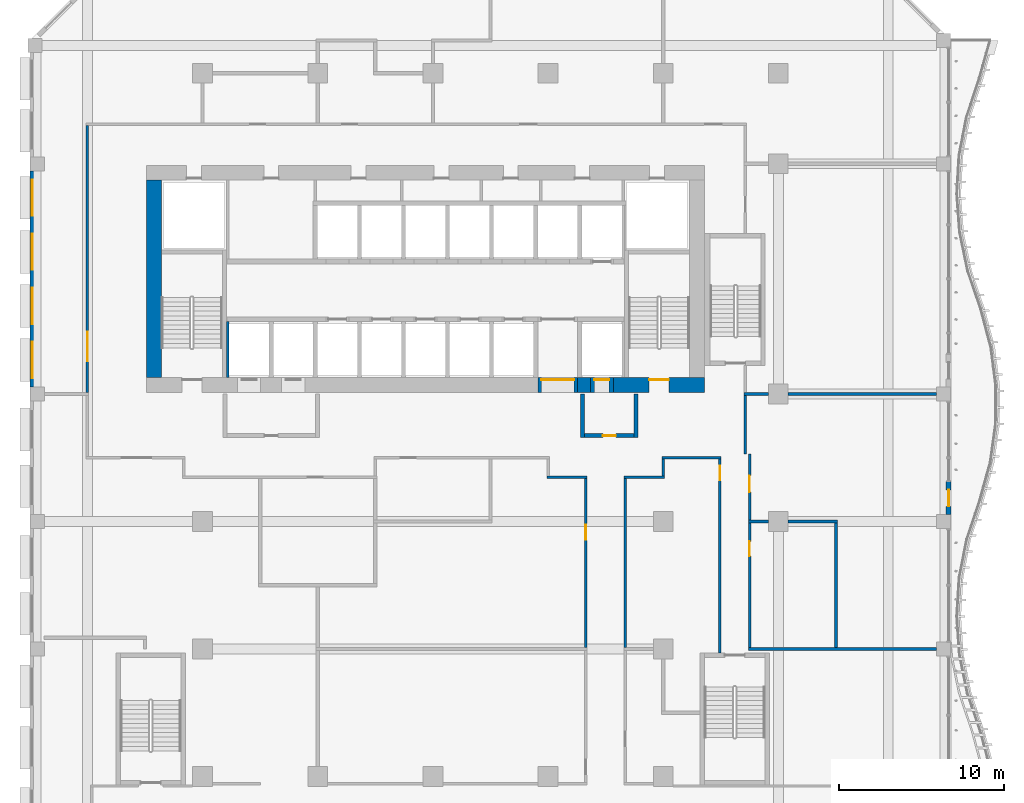
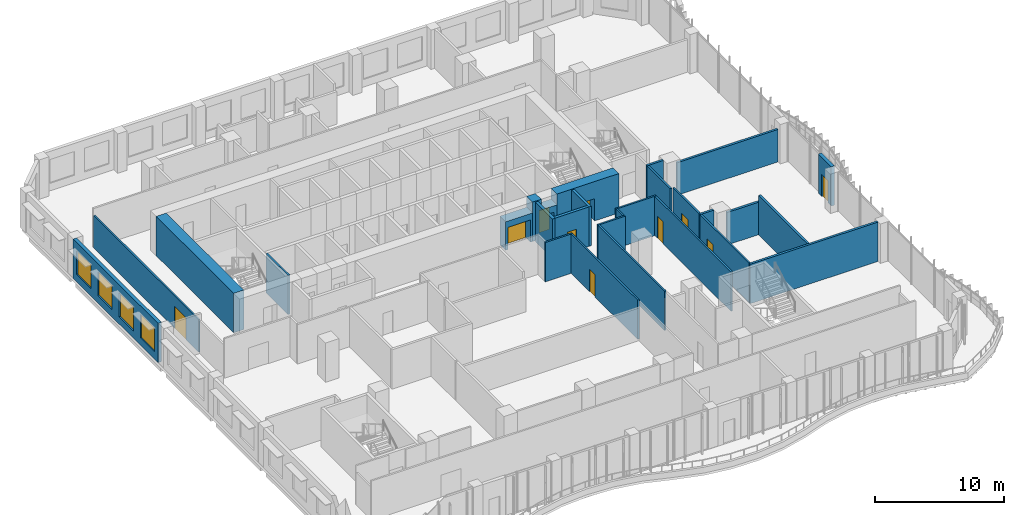
# One storey, part 12 of 26: 28 walls, 10 doors, 4 windows, 14 openings.
"""IFC4 building model written with IfcOpenShell, lengths in metres."""

from ifc_helpers import new_model, si_unit, direction, frame, frame_2d, origin, place, context, subcontext, project, spatial, rectangle, extrude, source, transform, mapped, material, layer, layer_set, type_object, element, fill, save


model = new_model("IFC4")

# Units and contexts
model_context = context("Model", 3, precision=1e-05, world=origin(), true_north=direction((0.0, 1.0)))
body_context = subcontext(model_context, "Body", "Model", "MODEL_VIEW")
ifc_project = project(units=[si_unit("LENGTHUNIT", "METRE"), si_unit("AREAUNIT", "SQUARE_METRE"), si_unit("VOLUMEUNIT", "CUBIC_METRE"), si_unit("PLANEANGLEUNIT", "RADIAN"), si_unit("MASSUNIT", "GRAM", prefix="KILO")], contexts=[model_context])

# Site, building, storey
site_placement = place(None, origin())
site = spatial("IfcSite", under=ifc_project, at=site_placement, CompositionType="ELEMENT")
building_placement = place(site_placement, origin())
building = spatial("IfcBuilding", under=site, at=building_placement, Name="Kilnfold Tower and Market Hall", CompositionType="ELEMENT")
storey_placement = place(building_placement, frame((0.0, 0.0, 108.60009765625)))
storey = spatial("IfcBuildingStorey", under=building, at=storey_placement, Name="L25", CompositionType="ELEMENT", Elevation=108.60009765625)

# Wall, opening, door
ifc_material_1 = material(Name="Gypsum board on steel studs", Category="steel")
ifc_layer_1 = layer(ifc_material_1, 0.14990234375)
ifc_layer_set_1 = layer_set([ifc_layer_1], Name="Gypsum board on steel studs")
wall_type_1 = type_object("IfcWallType", Name="WALL CORRIDOR 150", PredefinedType="PARTITIONING", material=ifc_layer_set_1)
wall_1_placement = place(storey_placement, frame((10.800048828125, -7.409912109375, 0.0), z_axis=(0.0, 0.0, 1.0), x_axis=(0.0, 1.0, 0.0)))
wall_1 = element("IfcWall", 1, at=wall_1_placement, inside=storey, type_object=wall_type_1, Name="Partition LY16.16", PredefinedType="PARTITIONING", context=body_context, shape_type="SweptSolid", body=[
    extrude(rectangle(XDim=10.284912109375, YDim=0.14990234375, at=frame_2d((5.142578125, 0.0))), origin(), (0.0, 0.0, 1.0), 3.719970703125),
])
opening_1_placement = place(wall_1_placement, frame((6.56005859375, 0.0, 0.0)))
opening_1 = element("IfcOpeningElement", 2, at=opening_1_placement, cuts=wall_1, Name="Opening D2", PredefinedType="OPENING", context=body_context, shape_type="SweptSolid", body=[
    extrude(rectangle(XDim=0.89990234375, YDim=2.10009765625, at=frame_2d((0.449951171875, 1.050048828125))), frame((0.0, 0.0849609375, 0.0), z_axis=(0.0, -1.0, 0.0), x_axis=(1.0, 0.0, 0.0)), (0.0, 0.0, 1.0), 0.169921875),
])
ifc_material_2 = material(Name="Timber veneer door leaf in steel frame", Category="steel")
door_type_1 = type_object("IfcDoorType", Name="DOOR ROOM 900 X2100", OperationType="NOTDEFINED", PredefinedType="DOOR", material=ifc_material_2)
door_1_placement = place(opening_1_placement, origin())
door_1 = element("IfcDoor", 3, at=door_1_placement, inside=storey, type_object=door_type_1, Name="Door D2", OperationType="SINGLE_SWING_LEFT", OverallHeight=2.10009765625, OverallWidth=0.89990234375, PredefinedType="DOOR", context=body_context, shape_type="SweptSolid", body=[
    extrude(rectangle(XDim=0.89990234375, YDim=2.10009765625, at=frame_2d((0.449951171875, 1.050048828125))), frame((0.0, 0.02490234375, 0.0), z_axis=(0.0, -1.0, 0.0), x_axis=(1.0, 0.0, 0.0)), (0.0, 0.0, 1.0), 0.050048828125),
])
fill(opening_1, door_1)

# Wall
wall_2_placement = place(storey_placement, frame((8.425048828125, 2.949951171875, 0.0), z_axis=(0.0, 0.0, 1.0), x_axis=(1.0, 0.0, 0.0)))
element("IfcWall", 4, at=wall_2_placement, inside=storey, type_object=wall_type_1, Name="Partition LY16.17", PredefinedType="PARTITIONING", context=body_context, shape_type="SweptSolid", body=[
    extrude(rectangle(XDim=2.449951171875, YDim=0.14990234375, at=frame_2d((1.22509765625, 0.0))), origin(), (0.0, 0.0, 1.0), 3.719970703125),
])

# Wall, opening, door
wall_3_placement = place(storey_placement, frame((18.949951171875, 4.050048828125, 0.0), z_axis=(0.0, 0.0, 1.0), x_axis=(0.0, -1.0, 0.0)))
wall_3 = element("IfcWall", 5, at=wall_3_placement, inside=storey, type_object=wall_type_1, Name="Partition LY16.23", PredefinedType="PARTITIONING", context=body_context, shape_type="SweptSolid", body=[
    extrude(rectangle(XDim=11.800048828125, YDim=0.14990234375, at=frame_2d((5.89990234375, 0.0))), origin(), (0.0, 0.0, 1.0), 3.719970703125),
])
opening_2_placement = place(wall_3_placement, frame((0.39990234375, 0.0, 0.0)))
opening_2 = element("IfcOpeningElement", 6, at=opening_2_placement, cuts=wall_3, Name="Opening D2", PredefinedType="OPENING", context=body_context, shape_type="SweptSolid", body=[
    extrude(rectangle(XDim=0.89990234375, YDim=2.10009765625, at=frame_2d((0.449951171875, 1.050048828125))), frame((0.0, 0.0849609375, 0.0), z_axis=(0.0, -1.0, 0.0), x_axis=(1.0, 0.0, 0.0)), (0.0, 0.0, 1.0), 0.169921875),
])
door_2_placement = place(opening_2_placement, origin())
door_2 = element("IfcDoor", 7, at=door_2_placement, inside=storey, type_object=door_type_1, Name="Door D2", OperationType="SINGLE_SWING_LEFT", OverallHeight=2.10009765625, OverallWidth=0.89990234375, PredefinedType="DOOR", context=body_context, shape_type="SweptSolid", body=[
    extrude(rectangle(XDim=0.89990234375, YDim=2.10009765625, at=frame_2d((0.449951171875, 1.050048828125))), frame((0.0, 0.02490234375, 0.0), z_axis=(0.0, -1.0, 0.0), x_axis=(1.0, 0.0, 0.0)), (0.0, 0.0, 1.0), 0.050048828125),
])
fill(opening_2, door_2)

# Walls
wall_4_placement = place(storey_placement, frame((15.425048828125, 4.125, 0.0), z_axis=(0.0, 0.0, 1.0), x_axis=(1.0, 0.0, 0.0)))
element("IfcWall", 8, at=wall_4_placement, inside=storey, type_object=wall_type_1, Name="Partition LY16.24", PredefinedType="PARTITIONING", context=body_context, shape_type="SweptSolid", body=[
    extrude(rectangle(XDim=3.599853515625, YDim=0.14990234375, at=frame_2d((1.7998046875, 0.0))), origin(), (0.0, 0.0, 1.0), 3.719970703125),
])
wall_5_placement = place(storey_placement, frame((15.5, 3.02490234375, 0.0), z_axis=(0.0, 0.0, 1.0), x_axis=(0.0, 1.0, 0.0)))
element("IfcWall", 9, at=wall_5_placement, inside=storey, type_object=wall_type_1, Name="Partition LY16.25", PredefinedType="PARTITIONING", context=body_context, shape_type="SweptSolid", body=[
    extrude(rectangle(XDim=1.025146484375, YDim=0.14990234375, at=frame_2d((0.5126953125, 0.0))), origin(), (0.0, 0.0, 1.0), 3.719970703125),
])
wall_6_placement = place(storey_placement, frame((13.125, 2.949951171875, 0.0), z_axis=(0.0, 0.0, 1.0), x_axis=(1.0, 0.0, 0.0)))
element("IfcWall", 10, at=wall_6_placement, inside=storey, type_object=wall_type_1, Name="Partition LY16.26", PredefinedType="PARTITIONING", context=body_context, shape_type="SweptSolid", body=[
    extrude(rectangle(XDim=2.449951171875, YDim=0.14990234375, at=frame_2d((1.22509765625, 0.0))), origin(), (0.0, 0.0, 1.0), 3.719970703125),
])
wall_7_placement = place(storey_placement, frame((13.199951171875, -7.409912109375, 0.0), z_axis=(0.0, 0.0, 1.0), x_axis=(0.0, 1.0, 0.0)))
element("IfcWall", 11, at=wall_7_placement, inside=storey, type_object=wall_type_1, Name="Partition LY16.27", PredefinedType="PARTITIONING", context=body_context, shape_type="SweptSolid", body=[
    extrude(rectangle(XDim=10.284912109375, YDim=0.14990234375, at=frame_2d((5.142578125, 0.0))), origin(), (0.0, 0.0, 1.0), 3.719970703125),
])

# Wall, opening, door
wall_8_placement = place(storey_placement, frame((20.75, -7.409912109375, 0.0), z_axis=(0.0, 0.0, 1.0), x_axis=(0.0, 1.0, 0.0)))
wall_8 = element("IfcWall", 12, at=wall_8_placement, inside=storey, type_object=wall_type_1, Name="Partition LY16.28", PredefinedType="PARTITIONING", context=body_context, shape_type="SweptSolid", body=[
    extrude(rectangle(XDim=7.56982421875, YDim=0.14990234375, at=frame_2d((3.784912109375, 0.0))), origin(), (0.0, 0.0, 1.0), 3.719970703125),
])
opening_3_placement = place(wall_8_placement, frame((5.56005859375, 0.0, 0.0)))
opening_3 = element("IfcOpeningElement", 13, at=opening_3_placement, cuts=wall_8, Name="Opening D2", PredefinedType="OPENING", context=body_context, shape_type="SweptSolid", body=[
    extrude(rectangle(XDim=0.89990234375, YDim=2.10009765625, at=frame_2d((0.449951171875, 1.050048828125))), frame((0.0, 0.0849609375, 0.0), z_axis=(0.0, -1.0, 0.0), x_axis=(1.0, 0.0, 0.0)), (0.0, 0.0, 1.0), 0.169921875),
])
door_3_placement = place(opening_3_placement, origin())
door_3 = element("IfcDoor", 14, at=door_3_placement, inside=storey, type_object=door_type_1, Name="Door D2", OperationType="SINGLE_SWING_RIGHT", OverallHeight=2.10009765625, OverallWidth=0.89990234375, PredefinedType="DOOR", context=body_context, shape_type="SweptSolid", body=[
    extrude(rectangle(XDim=0.89990234375, YDim=2.10009765625, at=frame_2d((0.449951171875, 1.050048828125))), frame((0.0, 0.02490234375, 0.0), z_axis=(0.0, -1.0, 0.0), x_axis=(1.0, 0.0, 0.0)), (0.0, 0.0, 1.0), 0.050048828125),
])
fill(opening_3, door_3)

# Wall
wall_9_placement = place(storey_placement, frame((20.5, 4.35009765625, 0.0), z_axis=(0.0, 0.0, 1.0), x_axis=(0.0, 1.0, 0.0)))
element("IfcWall", 15, at=wall_9_placement, inside=storey, type_object=wall_type_1, Name="Partition LY16.29", PredefinedType="PARTITIONING", context=body_context, shape_type="SweptSolid", body=[
    extrude(rectangle(XDim=3.559814453125, YDim=0.14990234375, at=frame_2d((1.77978515625, 0.0))), origin(), (0.0, 0.0, 1.0), 3.719970703125),
])

# Wall, opening, door
wall_10_placement = place(storey_placement, frame((20.75, 0.340087890625, 0.0), z_axis=(0.0, 0.0, 1.0), x_axis=(0.0, 1.0, 0.0)))
wall_10 = element("IfcWall", 16, at=wall_10_placement, inside=storey, type_object=wall_type_1, Name="Partition LY16.30", PredefinedType="PARTITIONING", context=body_context, shape_type="SweptSolid", body=[
    extrude(rectangle(XDim=4.010009765625, YDim=0.14990234375, at=frame_2d((2.0048828125, 0.0))), origin(), (0.0, 0.0, 1.0), 3.719970703125),
])
opening_4_placement = place(wall_10_placement, frame((1.7060546875, 0.0, 0.0)))
opening_4 = element("IfcOpeningElement", 17, at=opening_4_placement, cuts=wall_10, Name="Opening D1", PredefinedType="OPENING", context=body_context, shape_type="SweptSolid", body=[
    extrude(rectangle(XDim=1.0, YDim=2.10009765625, at=frame_2d((0.5, 1.050048828125))), frame((0.0, 0.0849609375, 0.0), z_axis=(0.0, -1.0, 0.0), x_axis=(1.0, 0.0, 0.0)), (0.0, 0.0, 1.0), 0.169921875),
])
ifc_material_3 = material(Name="Timber veneer door leaf in steel frame", Category="steel")
door_type_2 = type_object("IfcDoorType", Name="DOOR ENTRY 1000 X2100", OperationType="NOTDEFINED", PredefinedType="DOOR", material=ifc_material_3)
door_4_placement = place(opening_4_placement, origin())
door_4 = element("IfcDoor", 18, at=door_4_placement, inside=storey, type_object=door_type_2, Name="Door D1", OperationType="SINGLE_SWING_RIGHT", OverallHeight=2.10009765625, OverallWidth=1.0, PredefinedType="DOOR", context=body_context, shape_type="SweptSolid", body=[
    extrude(rectangle(XDim=1.0, YDim=2.10009765625, at=frame_2d((0.5, 1.050048828125))), frame((0.0, 0.02490234375, 0.0), z_axis=(0.0, -1.0, 0.0), x_axis=(1.0, 0.0, 0.0)), (0.0, 0.0, 1.0), 0.050048828125),
])
fill(opening_4, door_4)

wall_11_placement = place(storey_placement, frame((-19.5, 8.090087890625, 0.0), z_axis=(0.0, 0.0, 1.0), x_axis=(0.0, 1.0, 0.0)))
wall_11 = element("IfcWall", 19, at=wall_11_placement, inside=storey, type_object=wall_type_1, Name="Partition LY16.34", PredefinedType="PARTITIONING", context=body_context, shape_type="SweptSolid", body=[
    extrude(rectangle(XDim=16.23486328125, YDim=0.14990234375, at=frame_2d((8.117431640625, 0.0))), origin(), (0.0, 0.0, 1.0), 3.06982421875),
])
opening_5_placement = place(wall_11_placement, frame((1.904052734375, 0.0, 0.0)))
opening_5 = element("IfcOpeningElement", 20, at=opening_5_placement, cuts=wall_11, Name="Opening D5", PredefinedType="OPENING", context=body_context, shape_type="SweptSolid", body=[
    extrude(rectangle(XDim=1.800048828125, YDim=2.10009765625, at=frame_2d((0.89990234375, 1.050048828125))), frame((0.0, 0.0849609375, 0.0), z_axis=(0.0, -1.0, 0.0), x_axis=(1.0, 0.0, 0.0)), (0.0, 0.0, 1.0), 0.169921875),
])
ifc_material_4 = material(Name="Timber veneer door leaf in steel frame", Category="steel")
door_type_3 = type_object("IfcDoorType", Name="DOOR DOUBLE 1800 X2100", OperationType="NOTDEFINED", PredefinedType="DOOR", material=ifc_material_4)
door_5_placement = place(opening_5_placement, origin())
door_5 = element("IfcDoor", 21, at=door_5_placement, inside=storey, type_object=door_type_3, Name="Door D5", OperationType="DOUBLE_DOOR_SINGLE_SWING", OverallHeight=2.10009765625, OverallWidth=1.800048828125, PredefinedType="DOOR", context=body_context, shape_type="SweptSolid", body=[
    extrude(rectangle(XDim=1.800048828125, YDim=2.10009765625, at=frame_2d((0.89990234375, 1.050048828125))), frame((0.0, 0.02490234375, 0.0), z_axis=(0.0, -1.0, 0.0), x_axis=(1.0, 0.0, 0.0)), (0.0, 0.0, 1.0), 0.050048828125),
])
fill(opening_5, door_5)

# Walls
ifc_material_5 = material(Name="Gypsum board on steel studs", Category="steel")
ifc_layer_2 = layer(ifc_material_5, 0.199951171875)
ifc_layer_set_2 = layer_set([ifc_layer_2], Name="Gypsum board on steel studs")
wall_type_2 = type_object("IfcWallType", Name="WALL PARTY 200", PredefinedType="PARTITIONING", material=ifc_layer_set_2)
wall_12_placement = place(storey_placement, frame((20.676025390625, -7.5, 0.0), z_axis=(0.0, 0.0, 1.0), x_axis=(1.0, 0.0, 0.0)))
element("IfcWall", 22, at=wall_12_placement, inside=storey, type_object=wall_type_2, Name="Partition LY16.53", PredefinedType="PARTITIONING", context=body_context, shape_type="SweptSolid", body=[
    extrude(rectangle(XDim=11.448974609375, YDim=0.199951171875, at=frame_2d((5.724609375, 0.0))), origin(), (0.0, 0.0, 1.0), 3.719970703125),
])
wall_13_placement = place(storey_placement, frame((20.676025390625, 0.25, 0.0), z_axis=(0.0, 0.0, 1.0), x_axis=(1.0, 0.0, 0.0)))
element("IfcWall", 23, at=wall_13_placement, inside=storey, type_object=wall_type_2, Name="Partition LY16.54", PredefinedType="PARTITIONING", context=body_context, shape_type="SweptSolid", body=[
    extrude(rectangle(XDim=1.223876953125, YDim=0.199951171875, at=frame_2d((0.61181640625, 0.0))), origin(), (0.0, 0.0, 1.0), 3.719970703125),
])
wall_14_placement = place(storey_placement, frame((23.10009765625, 0.25, 0.0), z_axis=(0.0, 0.0, 1.0), x_axis=(1.0, 0.0, 0.0)))
element("IfcWall", 24, at=wall_14_placement, inside=storey, type_object=wall_type_2, Name="Partition LY16.55", PredefinedType="PARTITIONING", context=body_context, shape_type="SweptSolid", body=[
    extrude(rectangle(XDim=3.0, YDim=0.199951171875, at=frame_2d((1.5, 0.0))), origin(), (0.0, 0.0, 1.0), 3.06982421875),
])
wall_15_placement = place(storey_placement, frame((26.0, -7.39990234375, 0.0), z_axis=(0.0, 0.0, 1.0), x_axis=(0.0, 1.0, 0.0)))
element("IfcWall", 25, at=wall_15_placement, inside=storey, type_object=wall_type_2, Name="Partition LY16.56", PredefinedType="PARTITIONING", context=body_context, shape_type="SweptSolid", body=[
    extrude(rectangle(XDim=7.5498046875, YDim=0.199951171875, at=frame_2d((3.77490234375, 0.0))), origin(), (0.0, 0.0, 1.0), 3.719970703125),
])
wall_16_placement = place(storey_placement, frame((20.426025390625, 8.0, 0.0), z_axis=(0.0, 0.0, 1.0), x_axis=(1.0, 0.0, 0.0)))
element("IfcWall", 26, at=wall_16_placement, inside=storey, type_object=wall_type_2, Name="Partition LY16.57", PredefinedType="PARTITIONING", context=body_context, shape_type="SweptSolid", body=[
    extrude(rectangle(XDim=1.473876953125, YDim=0.199951171875, at=frame_2d((0.73681640625, 0.0))), origin(), (0.0, 0.0, 1.0), 3.719970703125),
])
wall_17_placement = place(storey_placement, frame((23.10009765625, 8.0, 0.0), z_axis=(0.0, 0.0, 1.0), x_axis=(1.0, 0.0, 0.0)))
element("IfcWall", 27, at=wall_17_placement, inside=storey, type_object=wall_type_2, Name="Partition LY16.58", PredefinedType="PARTITIONING", context=body_context, shape_type="SweptSolid", body=[
    extrude(rectangle(XDim=9.02490234375, YDim=0.199951171875, at=frame_2d((4.512451171875, 0.0))), origin(), (0.0, 0.0, 1.0), 3.06982421875),
])
ifc_material_6 = material(Name="Concrete C70", Category="concrete")
ifc_layer_3 = layer(ifc_material_6, 0.89990234375)
ifc_layer_set_3 = layer_set([ifc_layer_3], Name="Concrete C70")
wall_type_3 = type_object("IfcWallType", Name="CORE WALL 900 C70", PredefinedType="SHEAR", material=ifc_layer_set_3)
shared_shape_1 = source(origin(), body_context, "Body", "SweptSolid", [
    extrude(rectangle(XDim=0.780029296875, YDim=0.89990234375, at=frame_2d((0.39013671875, 0.0))), origin(), (0.0, 0.0, 1.0), 3.719970703125),
])
wall_18_placement = place(storey_placement, frame((10.2900390625, 8.550048828125, 0.0), z_axis=(0.0, 0.0, 1.0), x_axis=(1.0, 0.0, 0.0)))
element("IfcWall", 28, at=wall_18_placement, inside=storey, type_object=wall_type_3, Name="Core outer wall south", PredefinedType="SHEAR", context=body_context, shape_type="MappedRepresentation", body=[
    mapped(shared_shape_1, transform((0.0, 0.0, 0.0))),
])

# Wall, opening, door
shared_shape_2 = source(origin(), body_context, "Body", "SweptSolid", [
    extrude(rectangle(XDim=5.530029296875, YDim=0.89990234375, at=frame_2d((2.76513671875, 0.0))), origin(), (0.0, 0.0, 1.0), 3.719970703125),
])
wall_19_placement = place(storey_placement, frame((12.469970703125, 8.550048828125, 0.0), z_axis=(0.0, 0.0, 1.0), x_axis=(1.0, 0.0, 0.0)))
wall_19 = element("IfcWall", 29, at=wall_19_placement, inside=storey, type_object=wall_type_3, Name="Core outer wall south", PredefinedType="SHEAR", context=body_context, shape_type="MappedRepresentation", body=[
    mapped(shared_shape_2, transform((0.0, 0.0, 0.0))),
])
opening_6_placement = place(wall_19_placement, frame((2.179931640625, 0.0, 0.0)))
opening_6 = element("IfcOpeningElement", 30, at=opening_6_placement, cuts=wall_19, Name="Opening SD1", PredefinedType="OPENING", context=body_context, shape_type="SweptSolid", body=[
    extrude(rectangle(XDim=1.199951171875, YDim=2.10009765625, at=frame_2d((0.60009765625, 1.050048828125))), frame((0.0, 0.4599609375, 0.0), z_axis=(0.0, -1.0, 0.0), x_axis=(1.0, 0.0, 0.0)), (0.0, 0.0, 1.0), 0.919921875),
])
ifc_material_7 = material(Name="Steel door set with fire-resisting leaf", Category="steel")
door_type_4 = type_object("IfcDoorType", Name="STAIR FLOOR DOOR 1200X2100", OperationType="NOTDEFINED", PredefinedType="DOOR", material=ifc_material_7)
door_6_placement = place(opening_6_placement, origin())
door_6 = element("IfcDoor", 31, at=door_6_placement, inside=storey, type_object=door_type_4, Name="Exit stair ST2 door", OperationType="DOUBLE_DOOR_SINGLE_SWING", OverallHeight=2.10009765625, OverallWidth=1.199951171875, PredefinedType="DOOR", context=body_context, shape_type="SweptSolid", body=[
    extrude(rectangle(XDim=1.199951171875, YDim=2.10009765625, at=frame_2d((0.60009765625, 1.050048828125))), frame((0.0, 0.35498046875, 0.0), z_axis=(0.0, -1.0, 0.0), x_axis=(1.0, 0.0, 0.0)), (0.0, 0.0, 1.0), 0.050048828125),
])
fill(opening_6, door_6)

# Wall
shared_shape_3 = source(origin(), body_context, "Body", "SweptSolid", [
    extrude(rectangle(XDim=12.0, YDim=0.89990234375, at=frame_2d((6.0, 0.0))), origin(), (0.0, 0.0, 1.0), 3.719970703125),
])
wall_20_placement = place(storey_placement, frame((-15.449951171875, 9.0, 0.0), z_axis=(0.0, 0.0, 1.0), x_axis=(0.0, 1.0, 0.0)))
element("IfcWall", 32, at=wall_20_placement, inside=storey, type_object=wall_type_3, Name="Core outer wall west", PredefinedType="SHEAR", context=body_context, shape_type="MappedRepresentation", body=[
    mapped(shared_shape_3, transform((0.0, 0.0, 0.0))),
])

# Wall, opening, door
ifc_material_8 = material(Name="Precast concrete C50/60", Category="concrete")
ifc_layer_4 = layer(ifc_material_8, 0.300048828125)
ifc_layer_set_4 = layer_set([ifc_layer_4], Name="Precast concrete C50/60")
wall_type_4 = type_object("IfcWallType", Name="PRECAST WALL 300", PredefinedType="SOLIDWALL", material=ifc_layer_set_4)
shared_shape_4 = source(origin(), body_context, "Body", "SweptSolid", [
    extrude(rectangle(XDim=2.0, YDim=0.300048828125, at=frame_2d((1.0, 0.0))), origin(), (0.0, 0.0, 1.0), 3.719970703125),
])
wall_21_placement = place(storey_placement, frame((32.85009765625, 0.675048828125, 0.0), z_axis=(0.0, 0.0, 1.0), x_axis=(0.0, 1.0, 0.0)))
wall_21 = element("IfcWall", 33, at=wall_21_placement, inside=storey, type_object=wall_type_4, Name="External wall L25 E", PredefinedType="SOLIDWALL", context=body_context, shape_type="MappedRepresentation", body=[
    mapped(shared_shape_4, transform((0.0, 0.0, 0.0))),
])
opening_7_placement = place(wall_21_placement, frame((0.5, 0.0, 0.0)))
opening_7 = element("IfcOpeningElement", 34, at=opening_7_placement, cuts=wall_21, Name="Opening BD1", PredefinedType="OPENING", context=body_context, shape_type="SweptSolid", body=[
    extrude(rectangle(XDim=1.0, YDim=2.10009765625, at=frame_2d((0.5, 1.050048828125))), frame((0.0, 0.16015625, 0.0), z_axis=(0.0, -1.0, 0.0), x_axis=(1.0, 0.0, 0.0)), (0.0, 0.0, 1.0), 0.320068359375),
])
ifc_material_9 = material(Name="Aluminium frame and double glazing", Category="aluminium")
door_type_5 = type_object("IfcDoorType", Name="BALCONY DOOR 1000X2100", OperationType="NOTDEFINED", PredefinedType="DOOR", material=ifc_material_9)
door_7_placement = place(opening_7_placement, origin())
door_7 = element("IfcDoor", 35, at=door_7_placement, inside=storey, type_object=door_type_5, Name="Balcony door BD1 L25 E-1", OperationType="SINGLE_SWING_LEFT", OverallHeight=2.10009765625, OverallWidth=1.0, PredefinedType="DOOR", context=body_context, shape_type="SweptSolid", body=[
    extrude(rectangle(XDim=1.0, YDim=2.10009765625, at=frame_2d((0.5, 1.050048828125))), frame((0.0, 0.02490234375, 0.0), z_axis=(0.0, -1.0, 0.0), x_axis=(1.0, 0.0, 0.0)), (0.0, 0.0, 1.0), 0.050048828125),
])
fill(opening_7, door_7)

# Wall, openings, windows
shared_shape_5 = source(origin(), body_context, "Body", "SweptSolid", [
    extrude(rectangle(XDim=13.14990234375, YDim=0.300048828125, at=frame_2d((6.574951171875, 0.0))), origin(), (0.0, 0.0, 1.0), 3.719970703125),
])
wall_22_placement = place(storey_placement, frame((-22.85009765625, 21.574951171875, 0.0), z_axis=(0.0, 0.0, 1.0), x_axis=(0.0, -1.0, 0.0)))
wall_22 = element("IfcWall", 36, at=wall_22_placement, inside=storey, type_object=wall_type_4, Name="External wall L25 W", PredefinedType="SOLIDWALL", context=body_context, shape_type="MappedRepresentation", body=[
    mapped(shared_shape_5, transform((0.0, 0.0, 0.0))),
])
opening_8_placement = place(wall_22_placement, frame((0.543701171875, 0.0, 0.699951171875)))
opening_8 = element("IfcOpeningElement", 37, at=opening_8_placement, cuts=wall_22, Name="Opening W1", PredefinedType="OPENING", context=body_context, shape_type="SweptSolid", body=[
    extrude(rectangle(XDim=2.199951171875, YDim=2.25, at=frame_2d((1.10009765625, 1.125))), frame((0.0, 0.16015625, 0.0), z_axis=(0.0, -1.0, 0.0), x_axis=(1.0, 0.0, 0.0)), (0.0, 0.0, 1.0), 0.320068359375),
])
opening_9_placement = place(wall_22_placement, frame((3.831298828125, 0.0, 0.699951171875)))
opening_9 = element("IfcOpeningElement", 38, at=opening_9_placement, cuts=wall_22, Name="Opening W1", PredefinedType="OPENING", context=body_context, shape_type="SweptSolid", body=[
    extrude(rectangle(XDim=2.199951171875, YDim=2.25, at=frame_2d((1.10009765625, 1.125))), frame((0.0, 0.16015625, 0.0), z_axis=(0.0, -1.0, 0.0), x_axis=(1.0, 0.0, 0.0)), (0.0, 0.0, 1.0), 0.320068359375),
])
opening_10_placement = place(wall_22_placement, frame((7.118896484375, 0.0, 0.699951171875)))
opening_10 = element("IfcOpeningElement", 39, at=opening_10_placement, cuts=wall_22, Name="Opening W1", PredefinedType="OPENING", context=body_context, shape_type="SweptSolid", body=[
    extrude(rectangle(XDim=2.199951171875, YDim=2.25, at=frame_2d((1.10009765625, 1.125))), frame((0.0, 0.16015625, 0.0), z_axis=(0.0, -1.0, 0.0), x_axis=(1.0, 0.0, 0.0)), (0.0, 0.0, 1.0), 0.320068359375),
])
opening_11_placement = place(wall_22_placement, frame((10.40625, 0.0, 0.699951171875)))
opening_11 = element("IfcOpeningElement", 40, at=opening_11_placement, cuts=wall_22, Name="Opening W1", PredefinedType="OPENING", context=body_context, shape_type="SweptSolid", body=[
    extrude(rectangle(XDim=2.199951171875, YDim=2.25, at=frame_2d((1.10009765625, 1.125))), frame((0.0, 0.16015625, 0.0), z_axis=(0.0, -1.0, 0.0), x_axis=(1.0, 0.0, 0.0)), (0.0, 0.0, 1.0), 0.320068359375),
])
ifc_material_10 = material(Name="Aluminium frame and double glazing", Category="aluminium")
window_type = type_object("IfcWindowType", Name="WINDOW W1 2200X2250", PartitioningType="SINGLE_PANEL", PredefinedType="WINDOW", material=ifc_material_10)
window_1_placement = place(opening_8_placement, origin())
window_1 = element("IfcWindow", 41, at=window_1_placement, inside=storey, type_object=window_type, Name="Window W1 L25 W-1", OverallHeight=2.25, OverallWidth=2.199951171875, PartitioningType="SINGLE_PANEL", PredefinedType="WINDOW", context=body_context, shape_type="SweptSolid", body=[
    extrude(rectangle(XDim=2.199951171875, YDim=2.25, at=frame_2d((1.10009765625, 1.125))), frame((0.0, 0.030029296875, 0.0), z_axis=(0.0, -1.0, 0.0), x_axis=(1.0, 0.0, 0.0)), (0.0, 0.0, 1.0), 0.06005859375),
])
fill(opening_8, window_1)
window_2_placement = place(opening_9_placement, origin())
window_2 = element("IfcWindow", 42, at=window_2_placement, inside=storey, type_object=window_type, Name="Window W1 L25 W-2", OverallHeight=2.25, OverallWidth=2.199951171875, PartitioningType="SINGLE_PANEL", PredefinedType="WINDOW", context=body_context, shape_type="SweptSolid", body=[
    extrude(rectangle(XDim=2.199951171875, YDim=2.25, at=frame_2d((1.10009765625, 1.125))), frame((0.0, 0.030029296875, 0.0), z_axis=(0.0, -1.0, 0.0), x_axis=(1.0, 0.0, 0.0)), (0.0, 0.0, 1.0), 0.06005859375),
])
fill(opening_9, window_2)
window_3_placement = place(opening_10_placement, origin())
window_3 = element("IfcWindow", 43, at=window_3_placement, inside=storey, type_object=window_type, Name="Window W1 L25 W-3", OverallHeight=2.25, OverallWidth=2.199951171875, PartitioningType="SINGLE_PANEL", PredefinedType="WINDOW", context=body_context, shape_type="SweptSolid", body=[
    extrude(rectangle(XDim=2.199951171875, YDim=2.25, at=frame_2d((1.10009765625, 1.125))), frame((0.0, 0.030029296875, 0.0), z_axis=(0.0, -1.0, 0.0), x_axis=(1.0, 0.0, 0.0)), (0.0, 0.0, 1.0), 0.06005859375),
])
fill(opening_10, window_3)
window_4_placement = place(opening_11_placement, origin())
window_4 = element("IfcWindow", 44, at=window_4_placement, inside=storey, type_object=window_type, Name="Window W1 L25 W-4", OverallHeight=2.25, OverallWidth=2.199951171875, PartitioningType="SINGLE_PANEL", PredefinedType="WINDOW", context=body_context, shape_type="SweptSolid", body=[
    extrude(rectangle(XDim=2.199951171875, YDim=2.25, at=frame_2d((1.10009765625, 1.125))), frame((0.0, 0.030029296875, 0.0), z_axis=(0.0, -1.0, 0.0), x_axis=(1.0, 0.0, 0.0)), (0.0, 0.0, 1.0), 0.06005859375),
])
fill(opening_11, window_4)

# Walls
ifc_material_11 = material(Name="Gypsum shaft wall system")
ifc_layer_5 = layer(ifc_material_11, 0.25)
ifc_layer_set_5 = layer_set([ifc_layer_5], Name="Gypsum shaft wall system")
wall_type_5 = type_object("IfcWallType", Name="LOBBY WALL 250", PredefinedType="PARTITIONING", material=ifc_layer_set_5)
shared_shape_6 = source(origin(), body_context, "Body", "SweptSolid", [
    extrude(rectangle(XDim=2.64990234375, YDim=0.25, at=frame_2d((1.324951171875, 0.0))), origin(), (0.0, 0.0, 1.0), 3.719970703125),
])
for number, where, z_axis, x_axis, name in (
    (45, (10.60498046875, 5.35009765625, 0.0), (0.0, 0.0, 1.0), (0.0, 1.0, 0.0), "Firefighting lobby wall"),
    (46, (13.85498046875, 5.35009765625, 0.0), (0.0, 0.0, 1.0), (0.0, 1.0, 0.0), "Firefighting lobby wall"),
):
    element("IfcWall", number, at=place(storey_placement, frame(where, z_axis=z_axis, x_axis=x_axis)), inside=storey, type_object=wall_type_5, Name=name, PredefinedType="PARTITIONING", context=body_context, shape_type="MappedRepresentation", body=[
        mapped(shared_shape_6, transform((0.0, 0.0, 0.0))),
    ])

# Wall, opening, door
shared_shape_7 = source(origin(), body_context, "Body", "SweptSolid", [
    extrude(rectangle(XDim=3.0, YDim=0.25, at=frame_2d((1.5, 0.0))), origin(), (0.0, 0.0, 1.0), 3.719970703125),
])
wall_23_placement = place(storey_placement, frame((10.72998046875, 5.47509765625, 0.0), z_axis=(0.0, 0.0, 1.0), x_axis=(1.0, 0.0, 0.0)))
wall_23 = element("IfcWall", 47, at=wall_23_placement, inside=storey, type_object=wall_type_5, Name="Firefighting lobby wall", PredefinedType="PARTITIONING", context=body_context, shape_type="MappedRepresentation", body=[
    mapped(shared_shape_7, transform((0.0, 0.0, 0.0))),
])
opening_12_placement = place(wall_23_placement, frame((1.10009765625, 0.0, 0.0)))
opening_12 = element("IfcOpeningElement", 48, at=opening_12_placement, cuts=wall_23, Name="Opening VD1", PredefinedType="OPENING", context=body_context, shape_type="SweptSolid", body=[
    extrude(rectangle(XDim=0.800048828125, YDim=2.0, at=frame_2d((0.39990234375, 1.0))), frame((0.0, 0.135009765625, 0.0), z_axis=(0.0, -1.0, 0.0), x_axis=(1.0, 0.0, 0.0)), (0.0, 0.0, 1.0), 0.27001953125),
])
ifc_material_12 = material(Name="Steel door set with fire-resisting leaf", Category="steel")
door_type_6 = type_object("IfcDoorType", Name="FIREFIGHTING LOBBY DOOR 800X2000", OperationType="NOTDEFINED", PredefinedType="DOOR", material=ifc_material_12)
door_8_placement = place(opening_12_placement, origin())
door_8 = element("IfcDoor", 49, at=door_8_placement, inside=storey, type_object=door_type_6, Name="Firefighting lobby door", OperationType="SINGLE_SWING_RIGHT", OverallHeight=2.0, OverallWidth=0.800048828125, PredefinedType="DOOR", context=body_context, shape_type="SweptSolid", body=[
    extrude(rectangle(XDim=0.800048828125, YDim=2.0, at=frame_2d((0.39990234375, 1.0))), frame((0.0, 0.02490234375, 0.0), z_axis=(0.0, -1.0, 0.0), x_axis=(1.0, 0.0, 0.0)), (0.0, 0.0, 1.0), 0.050048828125),
])
fill(opening_12, door_8)

# Wall
ifc_material_13 = material(Name="Gypsum shaft wall system")
ifc_layer_6 = layer(ifc_material_13, 0.1650390625)
ifc_layer_set_6 = layer_set([ifc_layer_6], Name="Gypsum shaft wall system")
wall_type_6 = type_object("IfcWallType", Name="SHAFT WALL 165", PredefinedType="PARTITIONING", material=ifc_layer_set_6)
shared_shape_8 = source(origin(), body_context, "Body", "SweptSolid", [
    extrude(rectangle(XDim=3.39990234375, YDim=0.1650390625, at=frame_2d((1.699951171875, 0.0))), origin(), (0.0, 0.0, 1.0), 3.719970703125),
])
wall_24_placement = place(storey_placement, frame((-10.967529296875, 9.0, 0.0), z_axis=(0.0, 0.0, 1.0), x_axis=(0.0, 1.0, 0.0)))
element("IfcWall", 50, at=wall_24_placement, inside=storey, type_object=wall_type_6, Name="Lift shaft wall", PredefinedType="PARTITIONING", context=body_context, shape_type="MappedRepresentation", body=[
    mapped(shared_shape_8, transform((0.0, 0.0, 0.0))),
])

# Wall, opening, door
ifc_material_14 = material(Name="Gypsum shaft wall system")
ifc_layer_7 = layer(ifc_material_14, 0.89990234375)
ifc_layer_set_7 = layer_set([ifc_layer_7], Name="Gypsum shaft wall system")
wall_type_7 = type_object("IfcWallType", Name="LOBBY WALL 900", PredefinedType="PARTITIONING", material=ifc_layer_set_7)
shared_shape_9 = source(origin(), body_context, "Body", "SweptSolid", [
    extrude(rectangle(XDim=1.39990234375, YDim=0.89990234375, at=frame_2d((0.699951171875, 0.0))), origin(), (0.0, 0.0, 1.0), 2.699951171875),
])
wall_25_placement = place(storey_placement, frame((11.070068359375, 8.550048828125, 0.0), z_axis=(0.0, 0.0, 1.0), x_axis=(1.0, 0.0, 0.0)))
wall_25 = element("IfcWall", 51, at=wall_25_placement, inside=storey, type_object=wall_type_7, Name="Core wall infill", PredefinedType="PARTITIONING", context=body_context, shape_type="MappedRepresentation", body=[
    mapped(shared_shape_9, transform((0.0, 0.0, 0.0))),
])
opening_13_placement = place(wall_25_placement, frame((0.25, 0.0, 0.0)))
opening_13 = element("IfcOpeningElement", 52, at=opening_13_placement, cuts=wall_25, Name="Opening LD1", PredefinedType="OPENING", context=body_context, shape_type="SweptSolid", body=[
    extrude(rectangle(XDim=0.89990234375, YDim=2.10009765625, at=frame_2d((0.449951171875, 1.050048828125))), frame((0.0, 0.4599609375, 0.0), z_axis=(0.0, -1.0, 0.0), x_axis=(1.0, 0.0, 0.0)), (0.0, 0.0, 1.0), 0.919921875),
])
ifc_material_15 = material(Name="Steel door set with fire-resisting leaf", Category="steel")
door_type_7 = type_object("IfcDoorType", Name="FIREFIGHTING LANDING DOOR 900X2100", OperationType="NOTDEFINED", PredefinedType="DOOR", material=ifc_material_15)
door_9_placement = place(opening_13_placement, origin())
door_9 = element("IfcDoor", 53, at=door_9_placement, inside=storey, type_object=door_type_7, Name="Landing door FF3", OperationType="SLIDING_TO_LEFT", OverallHeight=2.10009765625, OverallWidth=0.89990234375, PredefinedType="DOOR", context=body_context, shape_type="SweptSolid", body=[
    extrude(rectangle(XDim=0.89990234375, YDim=2.10009765625, at=frame_2d((0.449951171875, 1.050048828125))), frame((0.0, 0.35498046875, 0.0), z_axis=(0.0, -1.0, 0.0), x_axis=(1.0, 0.0, 0.0)), (0.0, 0.0, 1.0), 0.050048828125),
])
fill(opening_13, door_9)

shared_shape_10 = source(origin(), body_context, "Body", "SweptSolid", [
    extrude(rectangle(XDim=2.400146484375, YDim=0.89990234375, at=frame_2d((1.2001953125, 0.0))), origin(), (0.0, 0.0, 1.0), 2.699951171875),
])
wall_26_placement = place(storey_placement, frame((7.889892578125, 8.550048828125, 0.0), z_axis=(0.0, 0.0, 1.0), x_axis=(1.0, 0.0, 0.0)))
wall_26 = element("IfcWall", 54, at=wall_26_placement, inside=storey, type_object=wall_type_7, Name="Core wall infill", PredefinedType="PARTITIONING", context=body_context, shape_type="MappedRepresentation", body=[
    mapped(shared_shape_10, transform((0.0, 0.0, 0.0))),
])
opening_14_placement = place(wall_26_placement, frame((0.199951171875, 0.0, 0.0)))
opening_14 = element("IfcOpeningElement", 55, at=opening_14_placement, cuts=wall_26, Name="Opening VD2", PredefinedType="OPENING", context=body_context, shape_type="SweptSolid", body=[
    extrude(rectangle(XDim=2.0, YDim=2.10009765625, at=frame_2d((1.0, 1.050048828125))), frame((0.0, 0.4599609375, 0.0), z_axis=(0.0, -1.0, 0.0), x_axis=(1.0, 0.0, 0.0)), (0.0, 0.0, 1.0), 0.919921875),
])
ifc_material_16 = material(Name="Steel door set with fire-resisting leaf", Category="steel")
door_type_8 = type_object("IfcDoorType", Name="LIFT LOBBY ENTRANCE DOOR 2000X2100", OperationType="NOTDEFINED", PredefinedType="DOOR", material=ifc_material_16)
door_10_placement = place(opening_14_placement, origin())
door_10 = element("IfcDoor", 56, at=door_10_placement, inside=storey, type_object=door_type_8, Name="Lift lobby entrance door", OperationType="DOUBLE_DOOR_SINGLE_SWING", OverallHeight=2.10009765625, OverallWidth=2.0, PredefinedType="DOOR", context=body_context, shape_type="SweptSolid", body=[
    extrude(rectangle(XDim=2.0, YDim=2.10009765625, at=frame_2d((1.0, 1.050048828125))), frame((0.0, 0.35498046875, 0.0), z_axis=(0.0, -1.0, 0.0), x_axis=(1.0, 0.0, 0.0)), (0.0, 0.0, 1.0), 0.050048828125),
])
fill(opening_14, door_10)

save(model, "model.ifc")
